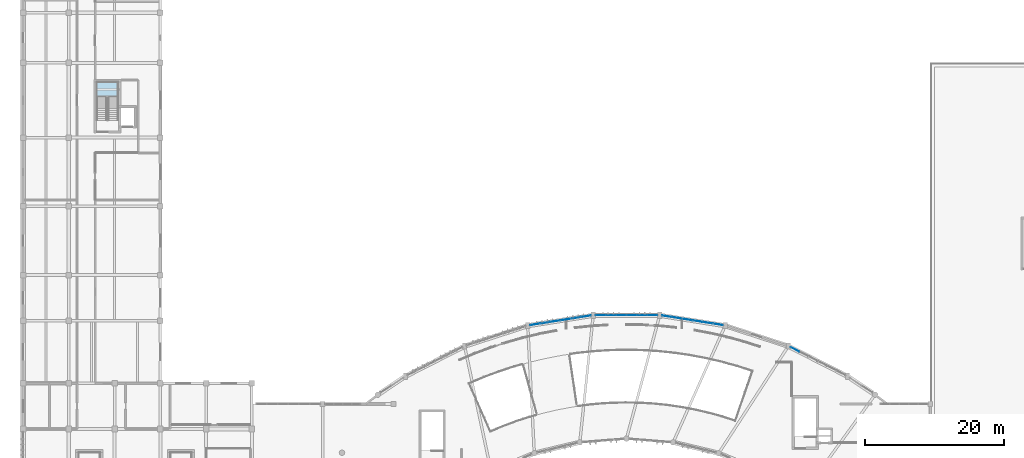
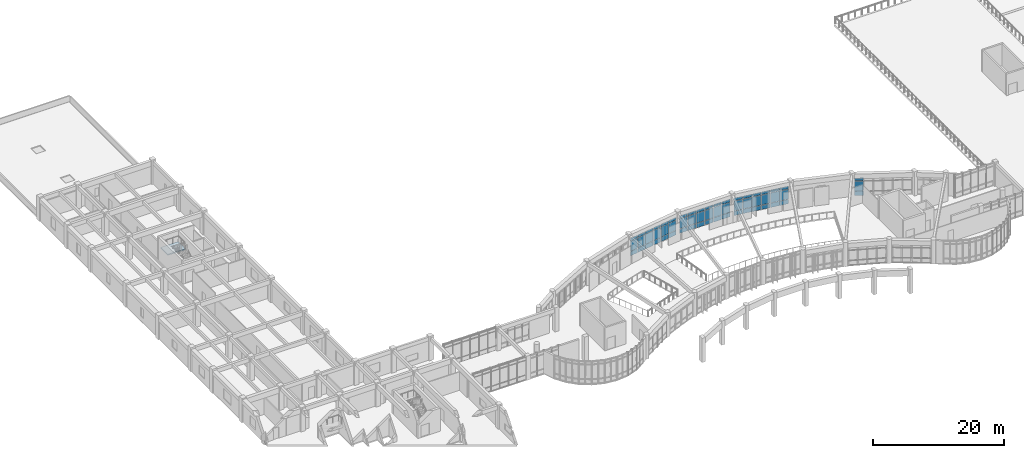
# One storey, part 38 of 54: 57 plates, 1 slab, 8 elements without a shape of their own.
"""IFC4 building model written with IfcOpenShell, lengths in metres."""

from ifc_helpers import new_model, si_unit, direction, frame, origin, origin_2d, place, context, subcontext, project, spatial, polyline, rectangle, outline, extrude, material, layer, layer_set, type_object, element, aggregate, save


model = new_model("IFC4")

# Units and contexts
model_context = context("Model", 3, precision=1e-05, world=origin(), true_north=direction((0.0, 1.0)))
body_context = subcontext(model_context, "Body", "Model", "MODEL_VIEW")
ifc_project = project(units=[si_unit("LENGTHUNIT", "METRE"), si_unit("AREAUNIT", "SQUARE_METRE"), si_unit("VOLUMEUNIT", "CUBIC_METRE"), si_unit("PLANEANGLEUNIT", "RADIAN"), si_unit("MASSUNIT", "GRAM", prefix="KILO")], contexts=[model_context])

# Site, building, storey
site_placement = place(None, origin())
site = spatial("IfcSite", under=ifc_project, at=site_placement, CompositionType="ELEMENT")
building_placement = place(site_placement, origin())
building = spatial("IfcBuilding", under=site, at=building_placement, Name="Miralva Faculty of Natural Sciences", CompositionType="ELEMENT")
storey_placement = place(building_placement, frame((0.0, 0.0, 19.5)))
storey = spatial("IfcBuildingStorey", under=building, at=storey_placement, Name="L04", CompositionType="ELEMENT", Elevation=19.5)

# Curtain wall, plates
ifc_material_1 = material(Name="Laminated solar-control glass", Category="glass")
ifc_layer_1 = layer(ifc_material_1, 0.179931640625, Name="CW-ARC-L03")
ifc_layer_set_1 = layer_set([ifc_layer_1], Name="Laminated solar-control glass")
curtain_wall_type = type_object("IfcCurtainWallType", Name="CW-ARC-L03", PredefinedType="USERDEFINED", material=ifc_layer_set_1)
curtain_wall_1_placement = place(storey_placement, origin())
curtain_wall_1 = element("IfcCurtainWall", 1, at=curtain_wall_1_placement, inside=storey, type_object=curtain_wall_type, Name="Curtain wall CW-03 L04-179", ObjectType="UNITISED CURTAIN WALL", PredefinedType="USERDEFINED")
ifc_layer_2 = layer(ifc_material_1, 0.028076171875, Name="PNL-P01")
ifc_layer_set_2 = layer_set([ifc_layer_2], Name="Laminated solar-control glass")
plate_type = type_object("IfcPlateType", Name="PNL-P01", PredefinedType="CURTAIN_PANEL", material=ifc_layer_set_2)
plate_1_placement = place(storey_placement, frame((76.79833984375, 38.47900390625, 0.06005859375), z_axis=(0.0, 0.0, 1.0), x_axis=(0.987688816642, 0.156431459367, 0.0)))
plate_1 = element("IfcPlate", 2, at=plate_1_placement, type_object=plate_type, Name="CW-03 panel 1.1", PredefinedType="CURTAIN_PANEL", context=body_context, shape_type="SweptSolid", body=[
    extrude(rectangle(XDim=1.40283203125, YDim=0.028076171875, at=origin_2d()), origin(), (0.0, 0.0, 1.0), 0.81005859375),
])
plate_2_placement = place(storey_placement, frame((76.79833984375, 38.47900390625, 0.93017578125), z_axis=(0.0, 0.0, 1.0), x_axis=(0.987688816642, 0.156431459367, 0.0)))
plate_2 = element("IfcPlate", 3, at=plate_2_placement, type_object=plate_type, Name="CW-03 panel 1.2", PredefinedType="CURTAIN_PANEL", context=body_context, shape_type="SweptSolid", body=[
    extrude(rectangle(XDim=1.40283203125, YDim=0.028076171875, at=origin_2d()), origin(), (0.0, 0.0, 1.0), 1.844970703125),
])
plate_3_placement = place(storey_placement, frame((76.79833984375, 38.47900390625, 2.8349609375), z_axis=(0.0, 0.0, 1.0), x_axis=(0.987688816642, 0.156431459367, 0.0)))
plate_3 = element("IfcPlate", 4, at=plate_3_placement, type_object=plate_type, Name="CW-03 panel 1.3", PredefinedType="CURTAIN_PANEL", context=body_context, shape_type="SweptSolid", body=[
    extrude(rectangle(XDim=1.40283203125, YDim=0.028076171875, at=origin_2d()), origin(), (0.0, 0.0, 1.0), 0.510009765625),
])
plate_4_placement = place(storey_placement, frame((78.26416015625, 38.711181640625, 0.06005859375), z_axis=(0.0, 0.0, 1.0), x_axis=(0.987688816642, 0.156431459367, 0.0)))
plate_4 = element("IfcPlate", 5, at=plate_4_placement, type_object=plate_type, Name="CW-03 panel 2.1", PredefinedType="CURTAIN_PANEL", context=body_context, shape_type="SweptSolid", body=[
    extrude(rectangle(XDim=1.435302734375, YDim=0.028076171875, at=origin_2d()), origin(), (0.0, 0.0, 1.0), 0.81005859375),
])
plate_5_placement = place(storey_placement, frame((78.26416015625, 38.711181640625, 0.93017578125), z_axis=(0.0, 0.0, 1.0), x_axis=(0.987688816642, 0.156431459367, 0.0)))
plate_5 = element("IfcPlate", 6, at=plate_5_placement, type_object=plate_type, Name="CW-03 panel 2.2", PredefinedType="CURTAIN_PANEL", context=body_context, shape_type="SweptSolid", body=[
    extrude(rectangle(XDim=1.435302734375, YDim=0.028076171875, at=origin_2d()), origin(), (0.0, 0.0, 1.0), 1.844970703125),
])
plate_6_placement = place(storey_placement, frame((78.26416015625, 38.711181640625, 2.8349609375), z_axis=(0.0, 0.0, 1.0), x_axis=(0.987688816642, 0.156431459367, 0.0)))
plate_6 = element("IfcPlate", 7, at=plate_6_placement, type_object=plate_type, Name="CW-03 panel 2.3", PredefinedType="CURTAIN_PANEL", context=body_context, shape_type="SweptSolid", body=[
    extrude(rectangle(XDim=1.435302734375, YDim=0.028076171875, at=origin_2d()), origin(), (0.0, 0.0, 1.0), 0.510009765625),
])
plate_7_placement = place(storey_placement, frame((79.72998046875, 38.943359375, 0.06005859375), z_axis=(0.0, 0.0, 1.0), x_axis=(0.987688816642, 0.156431459367, 0.0)))
plate_7 = element("IfcPlate", 8, at=plate_7_placement, type_object=plate_type, Name="CW-03 panel 3.1", PredefinedType="CURTAIN_PANEL", context=body_context, shape_type="SweptSolid", body=[
    extrude(rectangle(XDim=1.40283203125, YDim=0.028076171875, at=origin_2d()), origin(), (0.0, 0.0, 1.0), 0.81005859375),
])
plate_8_placement = place(storey_placement, frame((79.72998046875, 38.943359375, 0.93017578125), z_axis=(0.0, 0.0, 1.0), x_axis=(0.987688816642, 0.156431459367, 0.0)))
plate_8 = element("IfcPlate", 9, at=plate_8_placement, type_object=plate_type, Name="CW-03 panel 3.2", PredefinedType="CURTAIN_PANEL", context=body_context, shape_type="SweptSolid", body=[
    extrude(rectangle(XDim=1.40283203125, YDim=0.028076171875, at=origin_2d()), origin(), (0.0, 0.0, 1.0), 1.844970703125),
])
plate_9_placement = place(storey_placement, frame((79.72998046875, 38.943359375, 2.8349609375), z_axis=(0.0, 0.0, 1.0), x_axis=(0.987688816642, 0.156431459367, 0.0)))
plate_9 = element("IfcPlate", 10, at=plate_9_placement, type_object=plate_type, Name="CW-03 panel 3.3", PredefinedType="CURTAIN_PANEL", context=body_context, shape_type="SweptSolid", body=[
    extrude(rectangle(XDim=1.40283203125, YDim=0.028076171875, at=origin_2d()), origin(), (0.0, 0.0, 1.0), 0.510009765625),
])
aggregate(curtain_wall_1, [plate_1, plate_2, plate_3, plate_4, plate_5, plate_6, plate_7, plate_8, plate_9])

curtain_wall_2_placement = place(storey_placement, origin())
curtain_wall_2 = element("IfcCurtainWall", 11, at=curtain_wall_2_placement, inside=storey, type_object=curtain_wall_type, Name="Curtain wall CW-03 L04-180", ObjectType="UNITISED CURTAIN WALL", PredefinedType="USERDEFINED")
plate_10_placement = place(storey_placement, frame((81.23974609375, 39.1826171875, 0.06005859375), z_axis=(0.0, 0.0, 1.0), x_axis=(0.987691424827, 0.156414990722, 0.0)))
plate_10 = element("IfcPlate", 12, at=plate_10_placement, type_object=plate_type, Name="CW-03 panel 1.1", PredefinedType="CURTAIN_PANEL", context=body_context, shape_type="SweptSolid", body=[
    extrude(rectangle(XDim=1.404541015625, YDim=0.028076171875, at=origin_2d()), origin(), (0.0, 0.0, 1.0), 0.81005859375),
])
plate_11_placement = place(storey_placement, frame((81.23974609375, 39.1826171875, 0.93017578125), z_axis=(0.0, 0.0, 1.0), x_axis=(0.987691424827, 0.156414990722, 0.0)))
plate_11 = element("IfcPlate", 13, at=plate_11_placement, type_object=plate_type, Name="CW-03 panel 1.2", PredefinedType="CURTAIN_PANEL", context=body_context, shape_type="SweptSolid", body=[
    extrude(rectangle(XDim=1.404541015625, YDim=0.028076171875, at=origin_2d()), origin(), (0.0, 0.0, 1.0), 1.844970703125),
])
plate_12_placement = place(storey_placement, frame((81.23974609375, 39.1826171875, 2.8349609375), z_axis=(0.0, 0.0, 1.0), x_axis=(0.987691424827, 0.156414990722, 0.0)))
plate_12 = element("IfcPlate", 14, at=plate_12_placement, type_object=plate_type, Name="CW-03 panel 1.3", PredefinedType="CURTAIN_PANEL", context=body_context, shape_type="SweptSolid", body=[
    extrude(rectangle(XDim=1.404541015625, YDim=0.028076171875, at=origin_2d()), origin(), (0.0, 0.0, 1.0), 0.510009765625),
])
plate_13_placement = place(storey_placement, frame((82.707275390625, 39.414794921875, 0.06005859375), z_axis=(0.0, 0.0, 1.0), x_axis=(0.987691424827, 0.156414990722, 0.0)))
plate_13 = element("IfcPlate", 15, at=plate_13_placement, type_object=plate_type, Name="CW-03 panel 2.1", PredefinedType="CURTAIN_PANEL", context=body_context, shape_type="SweptSolid", body=[
    extrude(rectangle(XDim=1.43701171875, YDim=0.028076171875, at=origin_2d()), origin(), (0.0, 0.0, 1.0), 0.81005859375),
])
plate_14_placement = place(storey_placement, frame((82.707275390625, 39.414794921875, 0.93017578125), z_axis=(0.0, 0.0, 1.0), x_axis=(0.987691424827, 0.156414990722, 0.0)))
plate_14 = element("IfcPlate", 16, at=plate_14_placement, type_object=plate_type, Name="CW-03 panel 2.2", PredefinedType="CURTAIN_PANEL", context=body_context, shape_type="SweptSolid", body=[
    extrude(rectangle(XDim=1.43701171875, YDim=0.028076171875, at=origin_2d()), origin(), (0.0, 0.0, 1.0), 1.844970703125),
])
plate_15_placement = place(storey_placement, frame((82.707275390625, 39.414794921875, 2.8349609375), z_axis=(0.0, 0.0, 1.0), x_axis=(0.987691424827, 0.156414990722, 0.0)))
plate_15 = element("IfcPlate", 17, at=plate_15_placement, type_object=plate_type, Name="CW-03 panel 2.3", PredefinedType="CURTAIN_PANEL", context=body_context, shape_type="SweptSolid", body=[
    extrude(rectangle(XDim=1.43701171875, YDim=0.028076171875, at=origin_2d()), origin(), (0.0, 0.0, 1.0), 0.510009765625),
])
plate_16_placement = place(storey_placement, frame((84.1748046875, 39.647216796875, 0.06005859375), z_axis=(0.0, 0.0, 1.0), x_axis=(0.987691424827, 0.156414990722, 0.0)))
plate_16 = element("IfcPlate", 18, at=plate_16_placement, type_object=plate_type, Name="CW-03 panel 3.1", PredefinedType="CURTAIN_PANEL", context=body_context, shape_type="SweptSolid", body=[
    extrude(rectangle(XDim=1.404541015625, YDim=0.028076171875, at=origin_2d()), origin(), (0.0, 0.0, 1.0), 0.81005859375),
])
plate_17_placement = place(storey_placement, frame((84.1748046875, 39.647216796875, 0.93017578125), z_axis=(0.0, 0.0, 1.0), x_axis=(0.987691424827, 0.156414990722, 0.0)))
plate_17 = element("IfcPlate", 19, at=plate_17_placement, type_object=plate_type, Name="CW-03 panel 3.2", PredefinedType="CURTAIN_PANEL", context=body_context, shape_type="SweptSolid", body=[
    extrude(rectangle(XDim=1.404541015625, YDim=0.028076171875, at=origin_2d()), origin(), (0.0, 0.0, 1.0), 1.844970703125),
])
plate_18_placement = place(storey_placement, frame((84.1748046875, 39.647216796875, 2.8349609375), z_axis=(0.0, 0.0, 1.0), x_axis=(0.987691424827, 0.156414990722, 0.0)))
plate_18 = element("IfcPlate", 20, at=plate_18_placement, type_object=plate_type, Name="CW-03 panel 3.3", PredefinedType="CURTAIN_PANEL", context=body_context, shape_type="SweptSolid", body=[
    extrude(rectangle(XDim=1.404541015625, YDim=0.028076171875, at=origin_2d()), origin(), (0.0, 0.0, 1.0), 0.510009765625),
])
aggregate(curtain_wall_2, [plate_10, plate_11, plate_12, plate_13, plate_14, plate_15, plate_16, plate_17, plate_18])

curtain_wall_3_placement = place(storey_placement, origin())
curtain_wall_3 = element("IfcCurtainWall", 21, at=curtain_wall_3_placement, inside=storey, type_object=curtain_wall_type, Name="Curtain wall CW-03 L04-181", ObjectType="UNITISED CURTAIN WALL", PredefinedType="USERDEFINED")
plate_19_placement = place(storey_placement, frame((86.265380859375, 39.81201171875, 0.06005859375), z_axis=(0.0, 0.0, 1.0), x_axis=(1.0, 0.0, 0.0)))
plate_19 = element("IfcPlate", 22, at=plate_19_placement, type_object=plate_type, Name="CW-03 panel 1.1", PredefinedType="CURTAIN_PANEL", context=body_context, shape_type="SweptSolid", body=[
    extrude(rectangle(XDim=1.40283203125, YDim=0.028076171875, at=origin_2d()), origin(), (0.0, 0.0, 1.0), 0.81005859375),
])
plate_20_placement = place(storey_placement, frame((86.265380859375, 39.81201171875, 0.93017578125), z_axis=(0.0, 0.0, 1.0), x_axis=(1.0, 0.0, 0.0)))
plate_20 = element("IfcPlate", 23, at=plate_20_placement, type_object=plate_type, Name="CW-03 panel 1.2", PredefinedType="CURTAIN_PANEL", context=body_context, shape_type="SweptSolid", body=[
    extrude(rectangle(XDim=1.40283203125, YDim=0.028076171875, at=origin_2d()), origin(), (0.0, 0.0, 1.0), 1.844970703125),
])
plate_21_placement = place(storey_placement, frame((86.265380859375, 39.81201171875, 2.8349609375), z_axis=(0.0, 0.0, 1.0), x_axis=(1.0, 0.0, 0.0)))
plate_21 = element("IfcPlate", 24, at=plate_21_placement, type_object=plate_type, Name="CW-03 panel 1.3", PredefinedType="CURTAIN_PANEL", context=body_context, shape_type="SweptSolid", body=[
    extrude(rectangle(XDim=1.40283203125, YDim=0.028076171875, at=origin_2d()), origin(), (0.0, 0.0, 1.0), 0.510009765625),
])
plate_22_placement = place(storey_placement, frame((87.74951171875, 39.81201171875, 0.06005859375), z_axis=(0.0, 0.0, 1.0), x_axis=(1.0, 0.0, 0.0)))
plate_22 = element("IfcPlate", 25, at=plate_22_placement, type_object=plate_type, Name="CW-03 panel 2.1", PredefinedType="CURTAIN_PANEL", context=body_context, shape_type="SweptSolid", body=[
    extrude(rectangle(XDim=1.435302734375, YDim=0.028076171875, at=origin_2d()), origin(), (0.0, 0.0, 1.0), 0.81005859375),
])
plate_23_placement = place(storey_placement, frame((87.74951171875, 39.81201171875, 0.93017578125), z_axis=(0.0, 0.0, 1.0), x_axis=(1.0, 0.0, 0.0)))
plate_23 = element("IfcPlate", 26, at=plate_23_placement, type_object=plate_type, Name="CW-03 panel 2.2", PredefinedType="CURTAIN_PANEL", context=body_context, shape_type="SweptSolid", body=[
    extrude(rectangle(XDim=1.435302734375, YDim=0.028076171875, at=origin_2d()), origin(), (0.0, 0.0, 1.0), 1.844970703125),
])
plate_24_placement = place(storey_placement, frame((87.74951171875, 39.81201171875, 2.8349609375), z_axis=(0.0, 0.0, 1.0), x_axis=(1.0, 0.0, 0.0)))
plate_24 = element("IfcPlate", 27, at=plate_24_placement, type_object=plate_type, Name="CW-03 panel 2.3", PredefinedType="CURTAIN_PANEL", context=body_context, shape_type="SweptSolid", body=[
    extrude(rectangle(XDim=1.435302734375, YDim=0.028076171875, at=origin_2d()), origin(), (0.0, 0.0, 1.0), 0.510009765625),
])
plate_25_placement = place(storey_placement, frame((89.233642578125, 39.81201171875, 0.06005859375), z_axis=(0.0, 0.0, 1.0), x_axis=(1.0, 0.0, 0.0)))
plate_25 = element("IfcPlate", 28, at=plate_25_placement, type_object=plate_type, Name="CW-03 panel 3.1", PredefinedType="CURTAIN_PANEL", context=body_context, shape_type="SweptSolid", body=[
    extrude(rectangle(XDim=1.40283203125, YDim=0.028076171875, at=origin_2d()), origin(), (0.0, 0.0, 1.0), 0.81005859375),
])
plate_26_placement = place(storey_placement, frame((89.233642578125, 39.81201171875, 0.93017578125), z_axis=(0.0, 0.0, 1.0), x_axis=(1.0, 0.0, 0.0)))
plate_26 = element("IfcPlate", 29, at=plate_26_placement, type_object=plate_type, Name="CW-03 panel 3.2", PredefinedType="CURTAIN_PANEL", context=body_context, shape_type="SweptSolid", body=[
    extrude(rectangle(XDim=1.40283203125, YDim=0.028076171875, at=origin_2d()), origin(), (0.0, 0.0, 1.0), 1.844970703125),
])
plate_27_placement = place(storey_placement, frame((89.233642578125, 39.81201171875, 2.8349609375), z_axis=(0.0, 0.0, 1.0), x_axis=(1.0, 0.0, 0.0)))
plate_27 = element("IfcPlate", 30, at=plate_27_placement, type_object=plate_type, Name="CW-03 panel 3.3", PredefinedType="CURTAIN_PANEL", context=body_context, shape_type="SweptSolid", body=[
    extrude(rectangle(XDim=1.40283203125, YDim=0.028076171875, at=origin_2d()), origin(), (0.0, 0.0, 1.0), 0.510009765625),
])
aggregate(curtain_wall_3, [plate_19, plate_20, plate_21, plate_22, plate_23, plate_24, plate_25, plate_26, plate_27])

curtain_wall_4_placement = place(storey_placement, origin())
curtain_wall_4 = element("IfcCurtainWall", 31, at=curtain_wall_4_placement, inside=storey, type_object=curtain_wall_type, Name="Curtain wall CW-03 L04-182", ObjectType="UNITISED CURTAIN WALL", PredefinedType="USERDEFINED")
plate_28_placement = place(storey_placement, frame((90.76220703125, 39.81201171875, 0.06005859375), z_axis=(0.0, 0.0, 1.0), x_axis=(1.0, 0.0, 0.0)))
plate_28 = element("IfcPlate", 32, at=plate_28_placement, type_object=plate_type, Name="CW-03 panel 1.1", PredefinedType="CURTAIN_PANEL", context=body_context, shape_type="SweptSolid", body=[
    extrude(rectangle(XDim=1.404541015625, YDim=0.028076171875, at=origin_2d()), origin(), (0.0, 0.0, 1.0), 0.81005859375),
])
plate_29_placement = place(storey_placement, frame((90.76220703125, 39.81201171875, 0.93017578125), z_axis=(0.0, 0.0, 1.0), x_axis=(1.0, 0.0, 0.0)))
plate_29 = element("IfcPlate", 33, at=plate_29_placement, type_object=plate_type, Name="CW-03 panel 1.2", PredefinedType="CURTAIN_PANEL", context=body_context, shape_type="SweptSolid", body=[
    extrude(rectangle(XDim=1.404541015625, YDim=0.028076171875, at=origin_2d()), origin(), (0.0, 0.0, 1.0), 1.844970703125),
])
plate_30_placement = place(storey_placement, frame((90.76220703125, 39.81201171875, 2.8349609375), z_axis=(0.0, 0.0, 1.0), x_axis=(1.0, 0.0, 0.0)))
plate_30 = element("IfcPlate", 34, at=plate_30_placement, type_object=plate_type, Name="CW-03 panel 1.3", PredefinedType="CURTAIN_PANEL", context=body_context, shape_type="SweptSolid", body=[
    extrude(rectangle(XDim=1.404541015625, YDim=0.028076171875, at=origin_2d()), origin(), (0.0, 0.0, 1.0), 0.510009765625),
])
plate_31_placement = place(storey_placement, frame((92.248046875, 39.81201171875, 0.06005859375), z_axis=(0.0, 0.0, 1.0), x_axis=(1.0, 0.0, 0.0)))
plate_31 = element("IfcPlate", 35, at=plate_31_placement, type_object=plate_type, Name="CW-03 panel 2.1", PredefinedType="CURTAIN_PANEL", context=body_context, shape_type="SweptSolid", body=[
    extrude(rectangle(XDim=1.43701171875, YDim=0.028076171875, at=origin_2d()), origin(), (0.0, 0.0, 1.0), 0.81005859375),
])
plate_32_placement = place(storey_placement, frame((92.248046875, 39.81201171875, 0.93017578125), z_axis=(0.0, 0.0, 1.0), x_axis=(1.0, 0.0, 0.0)))
plate_32 = element("IfcPlate", 36, at=plate_32_placement, type_object=plate_type, Name="CW-03 panel 2.2", PredefinedType="CURTAIN_PANEL", context=body_context, shape_type="SweptSolid", body=[
    extrude(rectangle(XDim=1.43701171875, YDim=0.028076171875, at=origin_2d()), origin(), (0.0, 0.0, 1.0), 1.844970703125),
])
plate_33_placement = place(storey_placement, frame((92.248046875, 39.81201171875, 2.8349609375), z_axis=(0.0, 0.0, 1.0), x_axis=(1.0, 0.0, 0.0)))
plate_33 = element("IfcPlate", 37, at=plate_33_placement, type_object=plate_type, Name="CW-03 panel 2.3", PredefinedType="CURTAIN_PANEL", context=body_context, shape_type="SweptSolid", body=[
    extrude(rectangle(XDim=1.43701171875, YDim=0.028076171875, at=origin_2d()), origin(), (0.0, 0.0, 1.0), 0.510009765625),
])
plate_34_placement = place(storey_placement, frame((93.733642578125, 39.81201171875, 0.06005859375), z_axis=(0.0, 0.0, 1.0), x_axis=(1.0, 0.0, 0.0)))
plate_34 = element("IfcPlate", 38, at=plate_34_placement, type_object=plate_type, Name="CW-03 panel 3.1", PredefinedType="CURTAIN_PANEL", context=body_context, shape_type="SweptSolid", body=[
    extrude(rectangle(XDim=1.404541015625, YDim=0.028076171875, at=origin_2d()), origin(), (0.0, 0.0, 1.0), 0.81005859375),
])
plate_35_placement = place(storey_placement, frame((93.733642578125, 39.81201171875, 0.93017578125), z_axis=(0.0, 0.0, 1.0), x_axis=(1.0, 0.0, 0.0)))
plate_35 = element("IfcPlate", 39, at=plate_35_placement, type_object=plate_type, Name="CW-03 panel 3.2", PredefinedType="CURTAIN_PANEL", context=body_context, shape_type="SweptSolid", body=[
    extrude(rectangle(XDim=1.404541015625, YDim=0.028076171875, at=origin_2d()), origin(), (0.0, 0.0, 1.0), 1.844970703125),
])
plate_36_placement = place(storey_placement, frame((93.733642578125, 39.81201171875, 2.8349609375), z_axis=(0.0, 0.0, 1.0), x_axis=(1.0, 0.0, 0.0)))
plate_36 = element("IfcPlate", 40, at=plate_36_placement, type_object=plate_type, Name="CW-03 panel 3.3", PredefinedType="CURTAIN_PANEL", context=body_context, shape_type="SweptSolid", body=[
    extrude(rectangle(XDim=1.404541015625, YDim=0.028076171875, at=origin_2d()), origin(), (0.0, 0.0, 1.0), 0.510009765625),
])
aggregate(curtain_wall_4, [plate_28, plate_29, plate_30, plate_31, plate_32, plate_33, plate_34, plate_35, plate_36])

curtain_wall_5_placement = place(storey_placement, origin())
curtain_wall_5 = element("IfcCurtainWall", 41, at=curtain_wall_5_placement, inside=storey, type_object=curtain_wall_type, Name="Curtain wall CW-03 L04-183", ObjectType="UNITISED CURTAIN WALL", PredefinedType="USERDEFINED")
plate_37_placement = place(storey_placement, frame((95.824462890625, 39.6474609375, 0.06005859375), z_axis=(0.0, 0.0, 1.0), x_axis=(0.987692249099, -0.15640978572, 0.0)))
plate_37 = element("IfcPlate", 42, at=plate_37_placement, type_object=plate_type, Name="CW-03 panel 1.1", PredefinedType="CURTAIN_PANEL", context=body_context, shape_type="SweptSolid", body=[
    extrude(rectangle(XDim=1.40283203125, YDim=0.028076171875, at=origin_2d()), origin(), (0.0, 0.0, 1.0), 0.81005859375),
])
plate_38_placement = place(storey_placement, frame((95.824462890625, 39.6474609375, 0.93017578125), z_axis=(0.0, 0.0, 1.0), x_axis=(0.987692249099, -0.15640978572, 0.0)))
plate_38 = element("IfcPlate", 43, at=plate_38_placement, type_object=plate_type, Name="CW-03 panel 1.2", PredefinedType="CURTAIN_PANEL", context=body_context, shape_type="SweptSolid", body=[
    extrude(rectangle(XDim=1.40283203125, YDim=0.028076171875, at=origin_2d()), origin(), (0.0, 0.0, 1.0), 1.844970703125),
])
plate_39_placement = place(storey_placement, frame((95.824462890625, 39.6474609375, 2.8349609375), z_axis=(0.0, 0.0, 1.0), x_axis=(0.987692249099, -0.15640978572, 0.0)))
plate_39 = element("IfcPlate", 44, at=plate_39_placement, type_object=plate_type, Name="CW-03 panel 1.3", PredefinedType="CURTAIN_PANEL", context=body_context, shape_type="SweptSolid", body=[
    extrude(rectangle(XDim=1.40283203125, YDim=0.028076171875, at=origin_2d()), origin(), (0.0, 0.0, 1.0), 0.510009765625),
])
plate_40_placement = place(storey_placement, frame((97.290283203125, 39.415283203125, 0.06005859375), z_axis=(0.0, 0.0, 1.0), x_axis=(0.987692249099, -0.15640978572, 0.0)))
plate_40 = element("IfcPlate", 45, at=plate_40_placement, type_object=plate_type, Name="CW-03 panel 2.1", PredefinedType="CURTAIN_PANEL", context=body_context, shape_type="SweptSolid", body=[
    extrude(rectangle(XDim=1.435302734375, YDim=0.028076171875, at=origin_2d()), origin(), (0.0, 0.0, 1.0), 0.81005859375),
])
plate_41_placement = place(storey_placement, frame((97.290283203125, 39.415283203125, 0.93017578125), z_axis=(0.0, 0.0, 1.0), x_axis=(0.987692249099, -0.15640978572, 0.0)))
plate_41 = element("IfcPlate", 46, at=plate_41_placement, type_object=plate_type, Name="CW-03 panel 2.2", PredefinedType="CURTAIN_PANEL", context=body_context, shape_type="SweptSolid", body=[
    extrude(rectangle(XDim=1.435302734375, YDim=0.028076171875, at=origin_2d()), origin(), (0.0, 0.0, 1.0), 1.844970703125),
])
plate_42_placement = place(storey_placement, frame((97.290283203125, 39.415283203125, 2.8349609375), z_axis=(0.0, 0.0, 1.0), x_axis=(0.987692249099, -0.15640978572, 0.0)))
plate_42 = element("IfcPlate", 47, at=plate_42_placement, type_object=plate_type, Name="CW-03 panel 2.3", PredefinedType="CURTAIN_PANEL", context=body_context, shape_type="SweptSolid", body=[
    extrude(rectangle(XDim=1.435302734375, YDim=0.028076171875, at=origin_2d()), origin(), (0.0, 0.0, 1.0), 0.510009765625),
])
plate_43_placement = place(storey_placement, frame((98.756103515625, 39.18310546875, 0.06005859375), z_axis=(0.0, 0.0, 1.0), x_axis=(0.987692249099, -0.15640978572, 0.0)))
plate_43 = element("IfcPlate", 48, at=plate_43_placement, type_object=plate_type, Name="CW-03 panel 3.1", PredefinedType="CURTAIN_PANEL", context=body_context, shape_type="SweptSolid", body=[
    extrude(rectangle(XDim=1.40283203125, YDim=0.028076171875, at=origin_2d()), origin(), (0.0, 0.0, 1.0), 0.81005859375),
])
plate_44_placement = place(storey_placement, frame((98.756103515625, 39.18310546875, 0.93017578125), z_axis=(0.0, 0.0, 1.0), x_axis=(0.987692249099, -0.15640978572, 0.0)))
plate_44 = element("IfcPlate", 49, at=plate_44_placement, type_object=plate_type, Name="CW-03 panel 3.2", PredefinedType="CURTAIN_PANEL", context=body_context, shape_type="SweptSolid", body=[
    extrude(rectangle(XDim=1.40283203125, YDim=0.028076171875, at=origin_2d()), origin(), (0.0, 0.0, 1.0), 1.844970703125),
])
plate_45_placement = place(storey_placement, frame((98.756103515625, 39.18310546875, 2.8349609375), z_axis=(0.0, 0.0, 1.0), x_axis=(0.987692249099, -0.15640978572, 0.0)))
plate_45 = element("IfcPlate", 50, at=plate_45_placement, type_object=plate_type, Name="CW-03 panel 3.3", PredefinedType="CURTAIN_PANEL", context=body_context, shape_type="SweptSolid", body=[
    extrude(rectangle(XDim=1.40283203125, YDim=0.028076171875, at=origin_2d()), origin(), (0.0, 0.0, 1.0), 0.510009765625),
])
aggregate(curtain_wall_5, [plate_37, plate_38, plate_39, plate_40, plate_41, plate_42, plate_43, plate_44, plate_45])

curtain_wall_6_placement = place(storey_placement, origin())
curtain_wall_6 = element("IfcCurtainWall", 51, at=curtain_wall_6_placement, inside=storey, type_object=curtain_wall_type, Name="Curtain wall CW-03 L04-184", ObjectType="UNITISED CURTAIN WALL", PredefinedType="USERDEFINED")
plate_46_placement = place(storey_placement, frame((100.26611328125, 38.944091796875, 0.06005859375), z_axis=(0.0, 0.0, 1.0), x_axis=(0.987687996038, -0.156436640476, 0.0)))
plate_46 = element("IfcPlate", 52, at=plate_46_placement, type_object=plate_type, Name="CW-03 panel 1.1", PredefinedType="CURTAIN_PANEL", context=body_context, shape_type="SweptSolid", body=[
    extrude(rectangle(XDim=1.404541015625, YDim=0.028076171875, at=origin_2d()), origin(), (0.0, 0.0, 1.0), 0.81005859375),
])
plate_47_placement = place(storey_placement, frame((100.26611328125, 38.944091796875, 0.93017578125), z_axis=(0.0, 0.0, 1.0), x_axis=(0.987687996038, -0.156436640476, 0.0)))
plate_47 = element("IfcPlate", 53, at=plate_47_placement, type_object=plate_type, Name="CW-03 panel 1.2", PredefinedType="CURTAIN_PANEL", context=body_context, shape_type="SweptSolid", body=[
    extrude(rectangle(XDim=1.404541015625, YDim=0.028076171875, at=origin_2d()), origin(), (0.0, 0.0, 1.0), 1.844970703125),
])
plate_48_placement = place(storey_placement, frame((100.26611328125, 38.944091796875, 2.8349609375), z_axis=(0.0, 0.0, 1.0), x_axis=(0.987687996038, -0.156436640476, 0.0)))
plate_48 = element("IfcPlate", 54, at=plate_48_placement, type_object=plate_type, Name="CW-03 panel 1.3", PredefinedType="CURTAIN_PANEL", context=body_context, shape_type="SweptSolid", body=[
    extrude(rectangle(XDim=1.404541015625, YDim=0.028076171875, at=origin_2d()), origin(), (0.0, 0.0, 1.0), 0.510009765625),
])
plate_49_placement = place(storey_placement, frame((101.7333984375, 38.711669921875, 0.06005859375), z_axis=(0.0, 0.0, 1.0), x_axis=(0.987687996038, -0.156436640476, 0.0)))
plate_49 = element("IfcPlate", 55, at=plate_49_placement, type_object=plate_type, Name="CW-03 panel 2.1", PredefinedType="CURTAIN_PANEL", context=body_context, shape_type="SweptSolid", body=[
    extrude(rectangle(XDim=1.43701171875, YDim=0.028076171875, at=origin_2d()), origin(), (0.0, 0.0, 1.0), 0.81005859375),
])
plate_50_placement = place(storey_placement, frame((101.7333984375, 38.711669921875, 0.93017578125), z_axis=(0.0, 0.0, 1.0), x_axis=(0.987687996038, -0.156436640476, 0.0)))
plate_50 = element("IfcPlate", 56, at=plate_50_placement, type_object=plate_type, Name="CW-03 panel 2.2", PredefinedType="CURTAIN_PANEL", context=body_context, shape_type="SweptSolid", body=[
    extrude(rectangle(XDim=1.43701171875, YDim=0.028076171875, at=origin_2d()), origin(), (0.0, 0.0, 1.0), 1.844970703125),
])
plate_51_placement = place(storey_placement, frame((101.7333984375, 38.711669921875, 2.8349609375), z_axis=(0.0, 0.0, 1.0), x_axis=(0.987687996038, -0.156436640476, 0.0)))
plate_51 = element("IfcPlate", 57, at=plate_51_placement, type_object=plate_type, Name="CW-03 panel 2.3", PredefinedType="CURTAIN_PANEL", context=body_context, shape_type="SweptSolid", body=[
    extrude(rectangle(XDim=1.43701171875, YDim=0.028076171875, at=origin_2d()), origin(), (0.0, 0.0, 1.0), 0.510009765625),
])
plate_52_placement = place(storey_placement, frame((103.200927734375, 38.479248046875, 0.06005859375), z_axis=(0.0, 0.0, 1.0), x_axis=(0.987687996038, -0.156436640476, 0.0)))
plate_52 = element("IfcPlate", 58, at=plate_52_placement, type_object=plate_type, Name="CW-03 panel 3.1", PredefinedType="CURTAIN_PANEL", context=body_context, shape_type="SweptSolid", body=[
    extrude(rectangle(XDim=1.404541015625, YDim=0.028076171875, at=origin_2d()), origin(), (0.0, 0.0, 1.0), 0.81005859375),
])
plate_53_placement = place(storey_placement, frame((103.200927734375, 38.479248046875, 0.93017578125), z_axis=(0.0, 0.0, 1.0), x_axis=(0.987687996038, -0.156436640476, 0.0)))
plate_53 = element("IfcPlate", 59, at=plate_53_placement, type_object=plate_type, Name="CW-03 panel 3.2", PredefinedType="CURTAIN_PANEL", context=body_context, shape_type="SweptSolid", body=[
    extrude(rectangle(XDim=1.404541015625, YDim=0.028076171875, at=origin_2d()), origin(), (0.0, 0.0, 1.0), 1.844970703125),
])
plate_54_placement = place(storey_placement, frame((103.200927734375, 38.479248046875, 2.8349609375), z_axis=(0.0, 0.0, 1.0), x_axis=(0.987687996038, -0.156436640476, 0.0)))
plate_54 = element("IfcPlate", 60, at=plate_54_placement, type_object=plate_type, Name="CW-03 panel 3.3", PredefinedType="CURTAIN_PANEL", context=body_context, shape_type="SweptSolid", body=[
    extrude(rectangle(XDim=1.404541015625, YDim=0.028076171875, at=origin_2d()), origin(), (0.0, 0.0, 1.0), 0.510009765625),
])
aggregate(curtain_wall_6, [plate_46, plate_47, plate_48, plate_49, plate_50, plate_51, plate_52, plate_53, plate_54])

curtain_wall_7_placement = place(storey_placement, origin())
curtain_wall_7 = element("IfcCurtainWall", 61, at=curtain_wall_7_placement, inside=storey, type_object=curtain_wall_type, Name="Curtain wall CW-03 L04-185", ObjectType="UNITISED CURTAIN WALL", PredefinedType="USERDEFINED")
plate_55_placement = place(storey_placement, frame((114.302734375, 34.867919921875, 0.06005859375), z_axis=(0.0, 0.0, 1.0), x_axis=(0.891015257812, -0.453973358631, 0.0)))
plate_55 = element("IfcPlate", 62, at=plate_55_placement, type_object=plate_type, Name="CW-03 panel 1.1", PredefinedType="CURTAIN_PANEL", context=body_context, shape_type="SweptSolid", body=[
    extrude(rectangle(XDim=1.392822265625, YDim=0.028076171875, at=origin_2d()), origin(), (0.0, 0.0, 1.0), 0.81005859375),
])
plate_56_placement = place(storey_placement, frame((114.302734375, 34.867919921875, 0.93017578125), z_axis=(0.0, 0.0, 1.0), x_axis=(0.891015257812, -0.453973358631, 0.0)))
plate_56 = element("IfcPlate", 63, at=plate_56_placement, type_object=plate_type, Name="CW-03 panel 1.2", PredefinedType="CURTAIN_PANEL", context=body_context, shape_type="SweptSolid", body=[
    extrude(rectangle(XDim=1.392822265625, YDim=0.028076171875, at=origin_2d()), origin(), (0.0, 0.0, 1.0), 1.844970703125),
])
plate_57_placement = place(storey_placement, frame((114.302734375, 34.867919921875, 2.8349609375), z_axis=(0.0, 0.0, 1.0), x_axis=(0.891015257812, -0.453973358631, 0.0)))
plate_57 = element("IfcPlate", 64, at=plate_57_placement, type_object=plate_type, Name="CW-03 panel 1.3", PredefinedType="CURTAIN_PANEL", context=body_context, shape_type="SweptSolid", body=[
    extrude(rectangle(XDim=1.392822265625, YDim=0.028076171875, at=origin_2d()), origin(), (0.0, 0.0, 1.0), 0.510009765625),
])
aggregate(curtain_wall_7, [plate_55, plate_56, plate_57])

# Stair, slab
ifc_material_2 = material(Name="Concrete C40/50", Category="concrete")
stair_type = type_object("IfcStairType", Name="ST-CORE-450", PredefinedType="HALF_TURN_STAIR", material=ifc_material_2)
stair_placement = place(storey_placement, origin())
stair = element("IfcStair", 65, at=stair_placement, inside=storey, type_object=stair_type, Name="Exit Stair Core C2 (ST-03) L04", PredefinedType="HALF_TURN_STAIR")
ifc_layer_3 = layer(ifc_material_2, 0.18994140625, Name="SL-LD01")
ifc_layer_set_3 = layer_set([ifc_layer_3], Name="Concrete C40/50")
slab_type = type_object("IfcSlabType", Name="SL-LD01", PredefinedType="LANDING", material=ifc_layer_set_3)
slab_placement = place(storey_placement, frame((0.0, 0.0, 2.06005859375)))
slab = element("IfcSlab", 66, at=slab_placement, type_object=slab_type, Name="ST-03 landing 1", PredefinedType="LANDING", context=body_context, shape_type="SweptSolid", body=[
    extrude(outline(polyline([(16.75, 71.260009765625), (16.75, 73.449951171875), (13.60009765625, 73.449951171875), (13.60009765625, 71.260009765625), (16.75, 71.260009765625)])), origin(), (0.0, 0.0, 1.0), 0.18994140625),
])
aggregate(stair, [slab])

save(model, "model.ifc")
